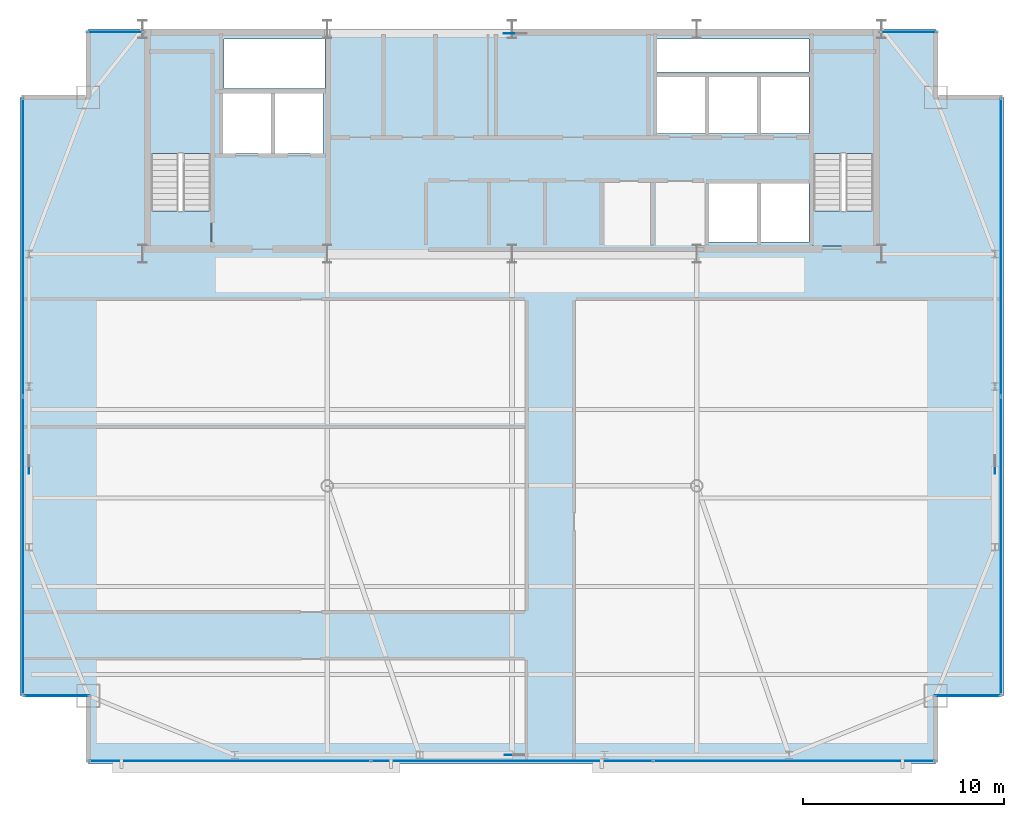
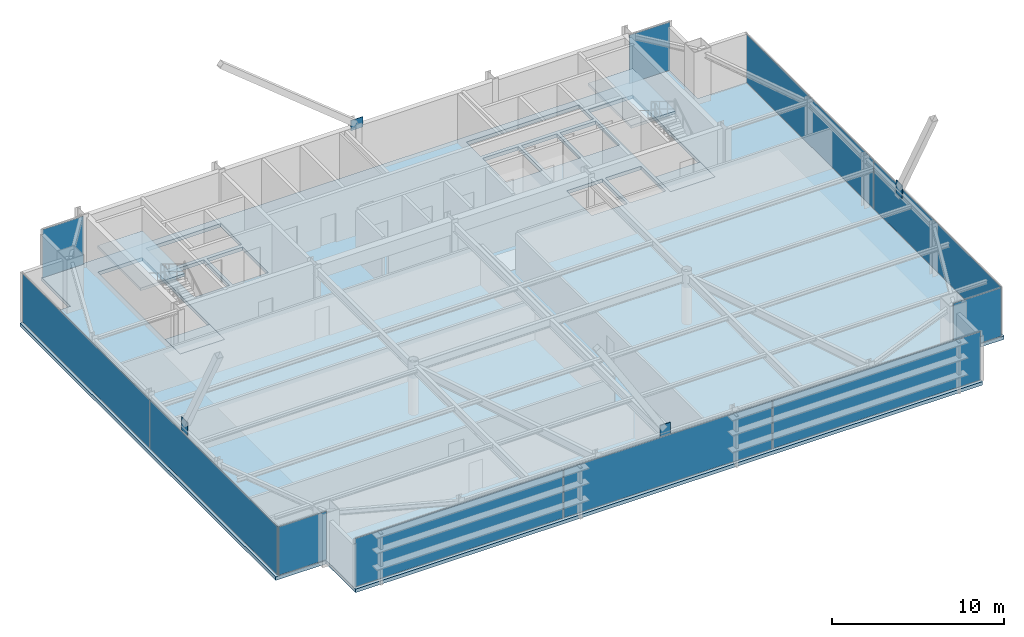
# One storey, part 21 of 27: 15 plates, 5 slabs, 9 elements without a shape of their own.
"""IFC4 building model written with IfcOpenShell, lengths in metres."""

from ifc_helpers import new_model, si_unit, direction, frame, origin, origin_2d, place, context, subcontext, project, spatial, polyline, rectangle, outline, extrude, source, transform, mapped, material, layer, layer_set, type_object, type_shapes, element, aggregate, save


model = new_model("IFC4")

# Units and contexts
model_context = context("Model", 3, precision=1e-05, world=origin(), true_north=direction((0.0, 1.0)))
body_context = subcontext(model_context, "Body", "Model", "MODEL_VIEW")
ifc_project = project(units=[si_unit("LENGTHUNIT", "METRE"), si_unit("AREAUNIT", "SQUARE_METRE"), si_unit("VOLUMEUNIT", "CUBIC_METRE"), si_unit("PLANEANGLEUNIT", "RADIAN"), si_unit("MASSUNIT", "GRAM", prefix="KILO")], contexts=[model_context])

# Site, building, storey
site_placement = place(None, origin())
site = spatial("IfcSite", under=ifc_project, at=site_placement, CompositionType="ELEMENT")
building_placement = place(site_placement, origin())
building = spatial("IfcBuilding", under=site, at=building_placement, Name="Varnel Quay Broadcast Tower", CompositionType="ELEMENT")
storey_placement = place(building_placement, frame((0.0, 0.0, 243.199951171875)))
storey = spatial("IfcBuildingStorey", under=building, at=storey_placement, Name="L60", CompositionType="ELEMENT", Elevation=243.199951171875)

# Slabs
ifc_material_1 = material(Name="Concrete CSA A23.3 C50/60", Category="concrete")
ifc_layer_1 = layer(ifc_material_1, 0.25, Name="Concrete CSA A23.3 C50/60")
ifc_layer_set_1 = layer_set([ifc_layer_1], Name="Concrete CSA A23.3 C50/60")
slab_type_1 = type_object("IfcSlabType", Name="Slab_Floor250", PredefinedType="FLOOR", material=ifc_layer_set_1)
slab_1_placement = place(storey_placement, frame((0.0, 0.0, -0.25)))
element("IfcSlab", 1, at=slab_1_placement, inside=storey, type_object=slab_type_1, Name="L60 Structural Slab", PredefinedType="FLOOR", context=body_context, shape_type="SweptSolid", body=[
    extrude(outline(polyline([(12.89990234375, 10.199951171875), (55.10009765625, 10.199951171875), (55.10009765625, 13.60009765625), (58.5, 13.60009765625), (58.5, 43.39990234375), (55.10009765625, 43.39990234375), (55.10009765625, 46.800048828125), (12.89990234375, 46.800048828125), (12.89990234375, 43.39990234375), (9.5, 43.39990234375), (9.5, 13.60009765625), (12.89990234375, 13.60009765625), (12.89990234375, 10.199951171875)]), holes=[polyline([(19.0, 36.0), (16.0, 36.0), (16.0, 45.60009765625), (19.0, 45.60009765625), (19.0, 36.0)]), polyline([(19.60009765625, 40.60009765625), (19.60009765625, 43.60009765625), (22.0, 43.60009765625), (22.0, 40.60009765625), (19.60009765625, 40.60009765625)]), polyline([(22.199951171875, 40.60009765625), (22.199951171875, 43.60009765625), (24.60009765625, 43.60009765625), (24.60009765625, 40.60009765625), (22.199951171875, 40.60009765625)]), polyline([(41.199951171875, 44.39990234375), (43.60009765625, 44.39990234375), (43.60009765625, 41.60009765625), (41.199951171875, 41.60009765625), (41.199951171875, 44.39990234375)]), polyline([(43.800048828125, 44.39990234375), (46.199951171875, 44.39990234375), (46.199951171875, 41.60009765625), (43.800048828125, 41.60009765625), (43.800048828125, 44.39990234375)]), polyline([(19.64990234375, 43.85009765625), (19.64990234375, 46.300048828125), (24.679931640625, 46.300048828125), (24.679931640625, 43.85009765625), (19.64990234375, 43.85009765625)]), polyline([(43.800048828125, 39.10009765625), (46.199951171875, 39.10009765625), (46.199951171875, 36.199951171875), (43.800048828125, 36.199951171875), (43.800048828125, 39.10009765625)]), polyline([(46.39990234375, 39.10009765625), (48.800048828125, 39.10009765625), (48.800048828125, 36.199951171875), (46.39990234375, 36.199951171875), (46.39990234375, 39.10009765625)]), polyline([(52.0, 36.0), (49.0, 36.0), (49.0, 45.60009765625), (52.0, 45.60009765625), (52.0, 36.0)]), polyline([(46.39990234375, 44.39990234375), (48.800048828125, 44.39990234375), (48.800048828125, 41.60009765625), (46.39990234375, 41.60009765625), (46.39990234375, 44.39990234375)]), polyline([(41.199951171875, 46.300048828125), (48.800048828125, 46.300048828125), (48.800048828125, 44.64990234375), (41.199951171875, 44.64990234375), (41.199951171875, 46.300048828125)])]), origin(), (0.0, 0.0, 1.0), 0.25),
])
ifc_layer_2 = layer(ifc_material_1, 0.25, Name="Concrete CSA A23.3 C50/60")
ifc_layer_set_2 = layer_set([ifc_layer_2], Name="Concrete CSA A23.3 C50/60")
slab_type_2 = type_object("IfcSlabType", Name="Slab_StairFloorLanding250", PredefinedType="FLOOR", material=ifc_layer_set_2)
slab_2_placement = place(storey_placement, frame((0.0, 0.0, -0.25)))
element("IfcSlab", 2, at=slab_2_placement, inside=storey, type_object=slab_type_2, Name="L60 ST-01 Structural Floor Landing Slab", PredefinedType="FLOOR", context=body_context, shape_type="SweptSolid", body=[
    extrude(outline(polyline([(19.0, 36.0), (19.0, 37.75), (16.0, 37.75), (16.0, 36.0), (19.0, 36.0)])), origin(), (0.0, 0.0, 1.0), 0.25),
])
slab_3_placement = place(storey_placement, frame((0.0, 0.0, -0.25)))
element("IfcSlab", 3, at=slab_3_placement, inside=storey, type_object=slab_type_2, Name="L60 ST-02 Structural Floor Landing Slab", PredefinedType="FLOOR", context=body_context, shape_type="SweptSolid", body=[
    extrude(outline(polyline([(52.0, 36.0), (52.0, 37.75), (49.0, 37.75), (49.0, 36.0), (52.0, 36.0)])), origin(), (0.0, 0.0, 1.0), 0.25),
])

# Stair, slab
ifc_material_2 = material(Name="Precast Structural Concrete C40/50", Category="concrete")
stair_type_1 = type_object("IfcStairType", Name="Stair_ST-01", PredefinedType="HALF_TURN_STAIR", material=ifc_material_2)
stair_1_placement = place(storey_placement, origin())
stair_1 = element("IfcStair", 4, at=stair_1_placement, inside=storey, type_object=stair_type_1, Name="L60 West Core Exit Stair 1", PredefinedType="HALF_TURN_STAIR")
ifc_layer_3 = layer(ifc_material_2, 0.199951171875, Name="Precast Structural Concrete C40/50")
ifc_layer_set_3 = layer_set([ifc_layer_3], Name="Precast Structural Concrete C40/50")
slab_type_3 = type_object("IfcSlabType", Name="Slab_StairLanding200", PredefinedType="LANDING", material=ifc_layer_set_3)
slab_4_placement = place(storey_placement, frame((0.0, 0.0, 1.699951171875)))
slab_4 = element("IfcSlab", 5, at=slab_4_placement, type_object=slab_type_3, Name="ST-01 landing 1", PredefinedType="LANDING", context=body_context, shape_type="SweptSolid", body=[
    extrude(outline(polyline([(19.0, 40.60009765625), (19.0, 45.60009765625), (16.0, 45.60009765625), (16.0, 40.60009765625), (19.0, 40.60009765625)])), origin(), (0.0, 0.0, 1.0), 0.2001953125),
])
aggregate(stair_1, [slab_4])

stair_type_2 = type_object("IfcStairType", Name="Stair_ST-02", PredefinedType="HALF_TURN_STAIR", material=ifc_material_2)
stair_2_placement = place(storey_placement, origin())
stair_2 = element("IfcStair", 6, at=stair_2_placement, inside=storey, type_object=stair_type_2, Name="L60 East Core Exit Stair 2", PredefinedType="HALF_TURN_STAIR")
slab_5_placement = place(storey_placement, frame((0.0, 0.0, 1.699951171875)))
slab_5 = element("IfcSlab", 7, at=slab_5_placement, type_object=slab_type_3, Name="ST-02 landing 1", PredefinedType="LANDING", context=body_context, shape_type="SweptSolid", body=[
    extrude(outline(polyline([(52.0, 40.60009765625), (52.0, 45.60009765625), (49.0, 45.60009765625), (49.0, 40.60009765625), (52.0, 40.60009765625)])), origin(), (0.0, 0.0, 1.0), 0.2001953125),
])
aggregate(stair_2, [slab_5])

# Plates
ifc_material_3 = material(Name="Structural Steel CSA G40.21 350WT", Category="steel")
ifc_layer_4 = layer(ifc_material_3, 0.0400390625, Name="Structural Steel CSA G40.21 350WT")
ifc_layer_set_4 = layer_set([ifc_layer_4], Name="Structural Steel CSA G40.21 350WT")
plate_type_1 = type_object("IfcPlateType", Name="Plate_MegaGusset", PredefinedType="USERDEFINED", material=ifc_layer_set_4)
shared_shape_1 = source(origin(), body_context, "Body", "SweptSolid", [
    extrude(rectangle(XDim=0.705078125, YDim=0.0400390625, at=origin_2d()), origin(), (0.0, 0.0, 1.0), 0.868896484375),
])
plate_1_placement = place(storey_placement, frame((34.0, 10.64990234375, 3.24072265625), z_axis=(0.0, 0.0, 1.0), x_axis=(1.0, 0.0, 0.0)))
element("IfcPlate", 8, at=plate_1_placement, inside=storey, type_object=plate_type_1, Name="Zone 4 Mega-Brace S-C1T3 Central X-Crossing Gusset Plate", ObjectType="GUSSET_PLATE", PredefinedType="USERDEFINED", context=body_context, shape_type="MappedRepresentation", body=[
    mapped(shared_shape_1, transform((0.0, 0.0, 0.0), x_axis=(1.0, 0.0, 0.0), y_axis=(0.0, 1.0, 0.0), z_axis=(0.0, 0.0, 1.0), scale=1.0)),
])
shared_shape_2 = source(origin(), body_context, "Body", "SweptSolid", [
    extrude(rectangle(XDim=0.801025390625, YDim=0.0400390625, at=origin_2d()), origin(), (0.0, 0.0, 1.0), 0.73291015625),
])
plate_2_placement = place(storey_placement, frame((34.0, 46.580078125, 3.30859375), z_axis=(0.0, 0.0, 1.0), x_axis=(1.0, 0.0, 0.0)))
element("IfcPlate", 9, at=plate_2_placement, inside=storey, type_object=plate_type_1, Name="Zone 4 Mega-Brace N-CT3 Central X-Crossing Gusset Plate", ObjectType="GUSSET_PLATE", PredefinedType="USERDEFINED", context=body_context, shape_type="MappedRepresentation", body=[
    mapped(shared_shape_2, transform((0.0, 0.0, 0.0), x_axis=(1.0, 0.0, 0.0), y_axis=(0.0, 1.0, 0.0), z_axis=(0.0, 0.0, 1.0), scale=1.0)),
])
shared_shape_3 = source(origin(), body_context, "Body", "SweptSolid", [
    extrude(rectangle(XDim=0.694091796875, YDim=0.0400390625, at=origin_2d()), origin(), (0.0, 0.0, 1.0), 0.9130859375),
])
type_shapes(plate_type_1, [shared_shape_1, shared_shape_2, shared_shape_3])
for number, where, z_axis, x_axis, name in (
    (10, (9.949951171875, 25.0, 3.218505859375), (0.0, 0.0, 1.0), (0.0, 1.0, 0.0), "Zone 4 Mega-Brace W-FT3 Central X-Crossing Gusset Plate"),
    (11, (58.050048828125, 25.0, 3.218505859375), (0.0, 0.0, 1.0), (0.0, 1.0, 0.0), "Zone 4 Mega-Brace E-FT3 Central X-Crossing Gusset Plate"),
):
    element("IfcPlate", number, at=place(storey_placement, frame(where, z_axis=z_axis, x_axis=x_axis)), inside=storey, type_object=plate_type_1, Name=name, ObjectType="GUSSET_PLATE", PredefinedType="USERDEFINED", context=body_context, shape_type="MappedRepresentation", body=[
        mapped(shared_shape_3, transform((0.0, 0.0, 0.0), x_axis=(1.0, 0.0, 0.0), y_axis=(0.0, 1.0, 0.0), z_axis=(0.0, 0.0, 1.0), scale=1.0)),
    ])

# Curtain wall, plate
ifc_material_4 = material(Name="Anodised Bronze Aluminium 6063-T6", Category="aluminium")
ifc_layer_5 = layer(ifc_material_4, 0.18994140625, Name="Anodised Bronze Aluminium 6063-T6")
ifc_layer_set_5 = layer_set([ifc_layer_5], Name="Anodised Bronze Aluminium 6063-T6")
curtain_wall_type_1 = type_object("IfcCurtainWallType", Name="CW_UpperTower", PredefinedType="NOTDEFINED", material=ifc_layer_set_5)
curtain_wall_1_placement = place(storey_placement, origin())
curtain_wall_1 = element("IfcCurtainWall", 12, at=curtain_wall_1_placement, inside=storey, type_object=curtain_wall_type_1, Name="L60 West Unitised Curtain Wall", PredefinedType="NOTDEFINED")
ifc_material_5 = material(Name="Insulated Bronze Spandrel Glass", Category="glass")
ifc_layer_6 = layer(ifc_material_5, 0.030029296875, Name="Insulated Bronze Spandrel Glass")
ifc_layer_set_6 = layer_set([ifc_layer_6], Name="Insulated Bronze Spandrel Glass")
plate_type_2 = type_object("IfcPlateType", Name="PanelSp_CWS-03", PredefinedType="CURTAIN_PANEL", material=ifc_layer_set_6)
shared_shape_4 = source(origin(), body_context, "Body", "SweptSolid", [
    extrude(rectangle(XDim=14.802490234375, YDim=0.030029296875, at=origin_2d()), origin(), (0.0, 0.0, 1.0), 3.429931640625),
])
plate_3_placement = place(storey_placement, frame((9.64990234375, 21.066162109375, 0.06005859375), z_axis=(0.0, 0.0, 1.0), x_axis=(0.0, 1.0, 0.0)))
plate_3 = element("IfcPlate", 13, at=plate_3_placement, type_object=plate_type_2, Name="CWS-03 panel 1.1", PredefinedType="CURTAIN_PANEL", context=body_context, shape_type="MappedRepresentation", body=[
    mapped(shared_shape_4, transform((0.0, 0.0, 0.0), x_axis=(1.0, 0.0, 0.0), y_axis=(0.0, 1.0, 0.0), z_axis=(0.0, 0.0, 1.0), scale=1.0)),
])

curtain_wall_2_placement = place(storey_placement, origin())
curtain_wall_2 = element("IfcCurtainWall", 14, at=curtain_wall_2_placement, inside=storey, type_object=curtain_wall_type_1, Name="L60 East Unitised Curtain Wall", PredefinedType="NOTDEFINED")
plate_4_placement = place(storey_placement, frame((58.35009765625, 21.066162109375, 0.06005859375), z_axis=(0.0, 0.0, 1.0), x_axis=(0.0, 1.0, 0.0)))
plate_4 = element("IfcPlate", 15, at=plate_4_placement, type_object=plate_type_2, Name="CWS-03 panel 1.1", PredefinedType="CURTAIN_PANEL", context=body_context, shape_type="MappedRepresentation", body=[
    mapped(shared_shape_4, transform((0.0, 0.0, 0.0), x_axis=(1.0, 0.0, 0.0), y_axis=(0.0, 1.0, 0.0), z_axis=(0.0, 0.0, 1.0), scale=1.0)),
])

ifc_layer_7 = layer(ifc_material_4, 0.18994140625, Name="Anodised Bronze Aluminium 6063-T6")
ifc_layer_set_7 = layer_set([ifc_layer_7], Name="Anodised Bronze Aluminium 6063-T6")
curtain_wall_type_2 = type_object("IfcCurtainWallType", Name="CW_NotchCorner", PredefinedType="NOTDEFINED", material=ifc_layer_set_7)
curtain_wall_3_placement = place(storey_placement, origin())
curtain_wall_3 = element("IfcCurtainWall", 16, at=curtain_wall_3_placement, inside=storey, type_object=curtain_wall_type_2, Name="L60 SW Notch Curtain Wall", PredefinedType="NOTDEFINED")
ifc_material_6 = material(Name="Triple-Glazed Bronze Low-E Architectural Glass", Category="glass")
ifc_layer_8 = layer(ifc_material_6, 0.028076171875, Name="Triple-Glazed Bronze Low-E Architectural Glass")
ifc_layer_set_8 = layer_set([ifc_layer_8], Name="Triple-Glazed Bronze Low-E Architectural Glass")
plate_type_3 = type_object("IfcPlateType", Name="Panel_CWS-04", PredefinedType="CURTAIN_PANEL", material=ifc_layer_set_8)
shared_shape_5 = source(origin(), body_context, "Body", "SweptSolid", [
    extrude(rectangle(XDim=3.2099609375, YDim=0.028076171875, at=origin_2d()), origin(), (0.0, 0.0, 1.0), 3.43994140625),
])
type_shapes(plate_type_3, [shared_shape_5])
plate_5_placement = place(storey_placement, frame((11.31494140625, 13.60009765625, 0.05517578125), z_axis=(0.0, 0.0, 1.0), x_axis=(1.0, 0.0, 0.0)))
plate_5 = element("IfcPlate", 17, at=plate_5_placement, type_object=plate_type_3, Name="CWS-04 panel 1.1", PredefinedType="CURTAIN_PANEL", context=body_context, shape_type="MappedRepresentation", body=[
    mapped(shared_shape_5, transform((0.0, 0.0, 0.0), x_axis=(1.0, 0.0, 0.0), y_axis=(0.0, 1.0, 0.0), z_axis=(0.0, 0.0, 1.0), scale=1.0)),
])
aggregate(curtain_wall_3, [plate_5])

curtain_wall_4_placement = place(storey_placement, origin())
curtain_wall_4 = element("IfcCurtainWall", 18, at=curtain_wall_4_placement, inside=storey, type_object=curtain_wall_type_2, Name="L60 SE Notch Curtain Wall", PredefinedType="NOTDEFINED")
plate_6_placement = place(storey_placement, frame((56.68505859375, 13.60009765625, 0.05517578125), z_axis=(0.0, 0.0, 1.0), x_axis=(1.0, 0.0, 0.0)))
plate_6 = element("IfcPlate", 19, at=plate_6_placement, type_object=plate_type_3, Name="CWS-04 panel 1.1", PredefinedType="CURTAIN_PANEL", context=body_context, shape_type="MappedRepresentation", body=[
    mapped(shared_shape_5, transform((0.0, 0.0, 0.0), x_axis=(1.0, 0.0, 0.0), y_axis=(0.0, 1.0, 0.0), z_axis=(0.0, 0.0, 1.0), scale=1.0)),
])
aggregate(curtain_wall_4, [plate_6])

curtain_wall_5_placement = place(storey_placement, origin())
curtain_wall_5 = element("IfcCurtainWall", 20, at=curtain_wall_5_placement, inside=storey, type_object=curtain_wall_type_1, Name="L60 NW Wing Curtain Wall", PredefinedType="NOTDEFINED")
ifc_layer_9 = layer(ifc_material_6, 0.030029296875, Name="Triple-Glazed Bronze Low-E Architectural Glass")
ifc_layer_set_9 = layer_set([ifc_layer_9], Name="Triple-Glazed Bronze Low-E Architectural Glass")
plate_type_4 = type_object("IfcPlateType", Name="Panel_CWS-03", PredefinedType="CURTAIN_PANEL", material=ifc_layer_set_9)
shared_shape_6 = source(origin(), body_context, "Body", "SweptSolid", [
    extrude(rectangle(XDim=2.75, YDim=0.030029296875, at=origin_2d()), origin(), (0.0, 0.0, 1.0), 3.429931640625),
])
plate_7_placement = place(storey_placement, frame((14.260009765625, 46.64990234375, 0.06005859375), z_axis=(0.0, 0.0, 1.0), x_axis=(1.0, 0.0, 0.0)))
plate_7 = element("IfcPlate", 21, at=plate_7_placement, type_object=plate_type_4, Name="CWS-03 panel 1.1", PredefinedType="CURTAIN_PANEL", context=body_context, shape_type="MappedRepresentation", body=[
    mapped(shared_shape_6, transform((0.0, 0.0, 0.0), x_axis=(1.0, 0.0, 0.0), y_axis=(0.0, 1.0, 0.0), z_axis=(0.0, 0.0, 1.0), scale=1.0)),
])
aggregate(curtain_wall_5, [plate_7])

curtain_wall_6_placement = place(storey_placement, origin())
curtain_wall_6 = element("IfcCurtainWall", 22, at=curtain_wall_6_placement, inside=storey, type_object=curtain_wall_type_1, Name="L60 NE Wing Curtain Wall", PredefinedType="NOTDEFINED")
plate_8_placement = place(storey_placement, frame((53.739990234375, 46.64990234375, 0.06005859375), z_axis=(0.0, 0.0, 1.0), x_axis=(1.0, 0.0, 0.0)))
plate_8 = element("IfcPlate", 23, at=plate_8_placement, type_object=plate_type_4, Name="CWS-03 panel 1.1", PredefinedType="CURTAIN_PANEL", context=body_context, shape_type="MappedRepresentation", body=[
    mapped(shared_shape_6, transform((0.0, 0.0, 0.0), x_axis=(1.0, 0.0, 0.0), y_axis=(0.0, 1.0, 0.0), z_axis=(0.0, 0.0, 1.0), scale=1.0)),
])
aggregate(curtain_wall_6, [plate_8])

# Curtain wall, plates
curtain_wall_7_placement = place(storey_placement, origin())
curtain_wall_7 = element("IfcCurtainWall", 24, at=curtain_wall_7_placement, inside=storey, type_object=curtain_wall_type_1, Name="L60 South Unitised Curtain Wall 1", PredefinedType="NOTDEFINED")
shared_shape_7 = source(origin(), body_context, "Body", "SweptSolid", [
    extrude(rectangle(XDim=13.96923828125, YDim=0.030029296875, at=origin_2d()), origin(), (0.0, 0.0, 1.0), 3.429931640625),
])
plate_9_placement = place(storey_placement, frame((19.949462890625, 10.35009765625, 0.06005859375), z_axis=(0.0, 0.0, 1.0), x_axis=(1.0, 0.0, 0.0)))
plate_9 = element("IfcPlate", 25, at=plate_9_placement, type_object=plate_type_4, Name="CWS-03 panel 1.1", PredefinedType="CURTAIN_PANEL", context=body_context, shape_type="MappedRepresentation", body=[
    mapped(shared_shape_7, transform((0.0, 0.0, 0.0), x_axis=(1.0, 0.0, 0.0), y_axis=(0.0, 1.0, 0.0), z_axis=(0.0, 0.0, 1.0), scale=1.0)),
])
plate_10_placement = place(storey_placement, frame((48.050537109375, 10.35009765625, 0.06005859375), z_axis=(0.0, 0.0, 1.0), x_axis=(1.0, 0.0, 0.0)))
plate_10 = element("IfcPlate", 26, at=plate_10_placement, type_object=plate_type_4, Name="CWS-03 panel 3.1", PredefinedType="CURTAIN_PANEL", context=body_context, shape_type="MappedRepresentation", body=[
    mapped(shared_shape_7, transform((0.0, 0.0, 0.0), x_axis=(1.0, 0.0, 0.0), y_axis=(0.0, 1.0, 0.0), z_axis=(0.0, 0.0, 1.0), scale=1.0)),
])
shared_shape_8 = source(origin(), body_context, "Body", "SweptSolid", [
    extrude(rectangle(XDim=14.001708984375, YDim=0.030029296875, at=origin_2d()), origin(), (0.0, 0.0, 1.0), 3.429931640625),
])
type_shapes(plate_type_2, [shared_shape_4, shared_shape_8])
plate_11_placement = place(storey_placement, frame((34.0, 10.35009765625, 0.06005859375), z_axis=(0.0, 0.0, 1.0), x_axis=(1.0, 0.0, 0.0)))
plate_11 = element("IfcPlate", 27, at=plate_11_placement, type_object=plate_type_2, Name="CWS-03 panel 2.1", PredefinedType="CURTAIN_PANEL", context=body_context, shape_type="MappedRepresentation", body=[
    mapped(shared_shape_8, transform((0.0, 0.0, 0.0), x_axis=(1.0, 0.0, 0.0), y_axis=(0.0, 1.0, 0.0), z_axis=(0.0, 0.0, 1.0), scale=1.0)),
])
aggregate(curtain_wall_7, [plate_9, plate_11, plate_10])

# Plate
shared_shape_9 = source(origin(), body_context, "Body", "SweptSolid", [
    extrude(rectangle(XDim=14.802490234375, YDim=0.030029296875, at=origin_2d()), origin(), (0.0, 0.0, 1.0), 3.429931640625),
])
type_shapes(plate_type_4, [shared_shape_6, shared_shape_7, shared_shape_9])
plate_12_placement = place(storey_placement, frame((9.64990234375, 35.933837890625, 0.06005859375), z_axis=(0.0, 0.0, 1.0), x_axis=(0.0, 1.0, 0.0)))
plate_12 = element("IfcPlate", 28, at=plate_12_placement, type_object=plate_type_4, Name="CWS-03 panel 2.1", PredefinedType="CURTAIN_PANEL", context=body_context, shape_type="MappedRepresentation", body=[
    mapped(shared_shape_9, transform((0.0, 0.0, 0.0), x_axis=(1.0, 0.0, 0.0), y_axis=(0.0, 1.0, 0.0), z_axis=(0.0, 0.0, 1.0), scale=1.0)),
])

aggregate(curtain_wall_1, [plate_3, plate_12])

plate_13_placement = place(storey_placement, frame((58.35009765625, 35.933837890625, 0.06005859375), z_axis=(0.0, 0.0, 1.0), x_axis=(0.0, 1.0, 0.0)))
plate_13 = element("IfcPlate", 29, at=plate_13_placement, type_object=plate_type_4, Name="CWS-03 panel 2.1", PredefinedType="CURTAIN_PANEL", context=body_context, shape_type="MappedRepresentation", body=[
    mapped(shared_shape_9, transform((0.0, 0.0, 0.0), x_axis=(1.0, 0.0, 0.0), y_axis=(0.0, 1.0, 0.0), z_axis=(0.0, 0.0, 1.0), scale=1.0)),
])

aggregate(curtain_wall_2, [plate_4, plate_13])

save(model, "model.ifc")
